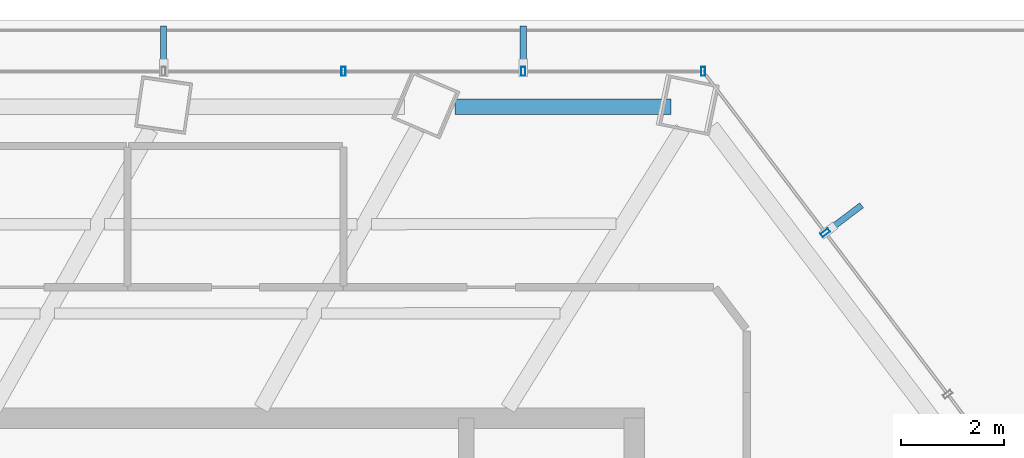
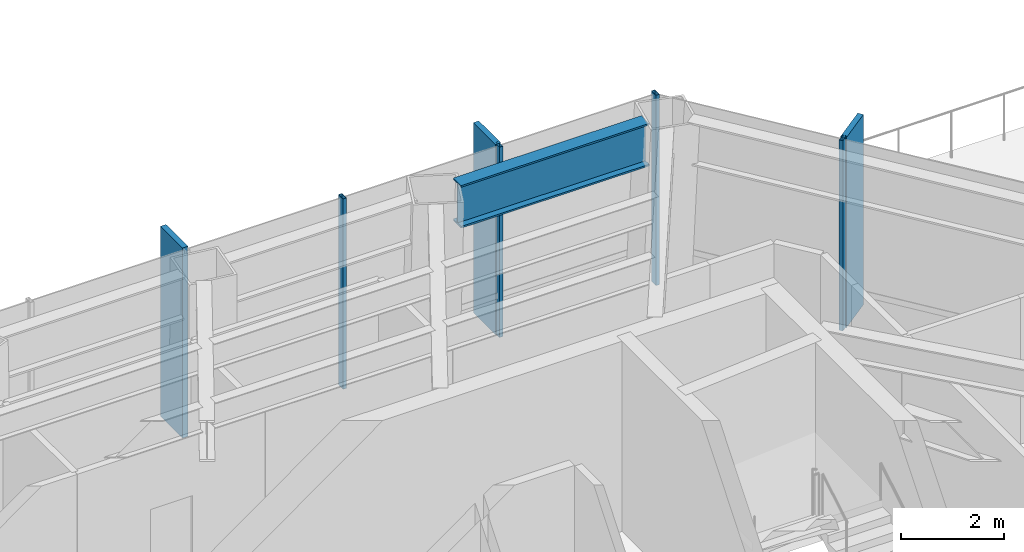
# One storey, part 17 of 30: 7 members, 1 beam, 2 elements without a shape of their own.
"""IFC4 building model written with IfcOpenShell, lengths in metres."""

from ifc_helpers import new_model, si_unit, direction, frame, origin, origin_2d, place, context, subcontext, project, spatial, rectangle, hollow_rectangle, i_section, extrude, material, layer, layer_set, material_profile, profile_set, type_object, element, aggregate, save


model = new_model("IFC4")

# Units and contexts
model_context = context("Model", 3, precision=1e-05, world=origin(), true_north=direction((0.0, 1.0)))
body_context = subcontext(model_context, "Body", "Model", "MODEL_VIEW")
ifc_project = project(units=[si_unit("LENGTHUNIT", "METRE"), si_unit("AREAUNIT", "SQUARE_METRE"), si_unit("VOLUMEUNIT", "CUBIC_METRE"), si_unit("PLANEANGLEUNIT", "RADIAN"), si_unit("MASSUNIT", "GRAM", prefix="KILO")], contexts=[model_context])

# Site, building, storey
site_placement = place(None, origin())
site = spatial("IfcSite", under=ifc_project, at=site_placement, CompositionType="ELEMENT")
building_placement = place(site_placement, origin())
building = spatial("IfcBuilding", under=site, at=building_placement, Name="Zarrinselat Tower", CompositionType="ELEMENT")
storey_placement = place(building_placement, frame((0.0, 0.0, 22.780029296875)))
storey = spatial("IfcBuildingStorey", under=building, at=storey_placement, Name="L05", CompositionType="ELEMENT", Elevation=22.780029296875)

# Beam
ifc_material_1 = material(Name="Steel S460M", Category="steel")
ifc_material_profile_1 = material_profile(ifc_material_1, i_section(OverallWidth=0.302001953125, OverallDepth=1.008056640625, WebThickness=0.02099609375, FlangeThickness=0.0400390625, at=origin_2d()), Name="HEM 1000")
ifc_profile_set_1 = profile_set([ifc_material_profile_1], Name="Steel S460M")
beam_type = type_object("IfcBeamType", Name="BM-HEM1000", PredefinedType="BEAM", material=ifc_profile_set_1)
beam_placement = place(storey_placement, frame((44.768310546875, 49.510986328125, 3.995849609375), z_axis=(1.0, 0.0, 0.0), x_axis=(0.0, 1.0, 0.0)))
element("IfcBeam", 1, at=beam_placement, inside=storey, type_object=beam_type, Name="L05 Perimeter Spandrel Girder SP01", PredefinedType="BEAM", context=body_context, shape_type="SweptSolid", body=[
    extrude(i_section(OverallWidth=0.302001953125, OverallDepth=1.008056640625, WebThickness=0.02099609375, FlangeThickness=0.0400390625, at=origin_2d()), origin(), (0.0, 0.0, 1.0), 4.210205078125),
])

# Curtain wall, members
ifc_material_2 = material(Name="Extruded Aluminium Alloy EN AW-6063 T6", Category="aluminium")
ifc_layer = layer(ifc_material_2, 0.195068359375)
ifc_layer_set = layer_set([ifc_layer], Name="Extruded Aluminium Alloy EN AW-6063 T6")
curtain_wall_type = type_object("IfcCurtainWallType", Name="CWS-GDN", PredefinedType="NOTDEFINED", material=ifc_layer_set)
curtain_wall_1_placement = place(storey_placement, origin())
curtain_wall_1 = element("IfcCurtainWall", 2, at=curtain_wall_1_placement, inside=storey, type_object=curtain_wall_type, Name="L05 Unitised Curtain Wall CW-L05-E01", PredefinedType="NOTDEFINED")
ifc_material_3 = material(Name="Extruded Aluminium Alloy EN AW-6063 T6", Category="aluminium")
ifc_material_profile_2 = material_profile(ifc_material_3, hollow_rectangle(XDim=0.080078125, YDim=0.179931640625, WallThickness=0.0048828125, at=origin_2d()), Name="RHS 180x80x5")
ifc_profile_set_2 = profile_set([ifc_material_profile_2], Name="Extruded Aluminium Alloy EN AW-6063 T6")
member_type_1 = type_object("IfcMemberType", Name="MEM-CW-MUL", PredefinedType="MULLION", material=ifc_profile_set_2)
member_1_placement = place(storey_placement, frame((49.60009765625, 50.199951171875, 0.0), z_axis=(0.0, 0.0, 1.0), x_axis=(-1.0, 0.0, 0.0)))
member_1 = element("IfcMember", 3, at=member_1_placement, type_object=member_type_1, Name="CW-L05-E01 Mullion 0", PredefinedType="MULLION", context=body_context, shape_type="SweptSolid", body=[
    extrude(hollow_rectangle(XDim=0.080078125, YDim=0.179931640625, WallThickness=0.0048828125, at=origin_2d()), origin(), (0.0, 0.0, 1.0), 4.5),
])
member_2_placement = place(storey_placement, frame((46.10009765625, 50.199951171875, 0.0), z_axis=(0.0, 0.0, 1.0), x_axis=(-1.0, 0.0, 0.0)))
member_2 = element("IfcMember", 4, at=member_2_placement, type_object=member_type_1, Name="CW-L05-E01 Mullion 1", PredefinedType="MULLION", context=body_context, shape_type="SweptSolid", body=[
    extrude(hollow_rectangle(XDim=0.080078125, YDim=0.179931640625, WallThickness=0.0048828125, at=origin_2d()), origin(), (0.0, 0.0, 1.0), 4.5),
])
member_3_placement = place(storey_placement, frame((42.60009765625, 50.199951171875, 0.0), z_axis=(0.0, 0.0, 1.0), x_axis=(-1.0, 0.0, 0.0)))
member_3 = element("IfcMember", 5, at=member_3_placement, type_object=member_type_1, Name="CW-L05-E01 Mullion 2", PredefinedType="MULLION", context=body_context, shape_type="SweptSolid", body=[
    extrude(hollow_rectangle(XDim=0.080078125, YDim=0.179931640625, WallThickness=0.0048828125, at=origin_2d()), origin(), (0.0, 0.0, 1.0), 4.5),
])

# Curtain wall, member
curtain_wall_2_placement = place(storey_placement, origin())
curtain_wall_2 = element("IfcCurtainWall", 6, at=curtain_wall_2_placement, inside=storey, type_object=curtain_wall_type, Name="L05 Unitised Curtain Wall CW-L05-E06", PredefinedType="NOTDEFINED")
member_4_placement = place(storey_placement, frame((51.97998046875, 47.058349609375, 0.0), z_axis=(0.0, 0.0, 1.0), x_axis=(-0.603857687995, 0.797092148154, 0.0)))
member_4 = element("IfcMember", 7, at=member_4_placement, type_object=member_type_1, Name="CW-L05-E06 Mullion 5", PredefinedType="MULLION", context=body_context, shape_type="SweptSolid", body=[
    extrude(hollow_rectangle(XDim=0.080078125, YDim=0.179931640625, WallThickness=0.0048828125, at=origin_2d()), origin(), (0.0, 0.0, 1.0), 4.5),
])

# Member
ifc_material_4 = material(Name="Honed Cream Travertine Stone", Category="masonry")
ifc_material_profile_3 = material_profile(ifc_material_4, rectangle(XDim=0.1201171875, YDim=0.85009765625, at=origin_2d()), Name="FIN 850x120")
ifc_profile_set_3 = profile_set([ifc_material_profile_3], Name="Honed Cream Travertine Stone")
member_type_2 = type_object("IfcMemberType", Name="MEM-STONE-FIN", PredefinedType="USERDEFINED", material=ifc_profile_set_3)
member_5_placement = place(storey_placement, frame((46.10009765625, 50.659912109375, 0.0), z_axis=(0.0, 0.0, 1.0), x_axis=(1.0, 0.0, 0.0)))
member_5 = element("IfcMember", 8, at=member_5_placement, type_object=member_type_2, Name="L05 Stone Shading Fin CW-L05-E01-01", ObjectType="FIN", PredefinedType="USERDEFINED", context=body_context, shape_type="SweptSolid", body=[
    extrude(rectangle(XDim=0.1201171875, YDim=0.85009765625, at=origin_2d()), origin(), (0.0, 0.0, 1.0), 4.5),
])

member_6_placement = place(storey_placement, frame((39.10009765625, 50.659912109375, 0.0), z_axis=(0.0, 0.0, 1.0), x_axis=(1.0, 0.0, 0.0)))
member_6 = element("IfcMember", 9, at=member_6_placement, type_object=member_type_2, Name="L05 Stone Shading Fin CW-L05-E01-03", ObjectType="FIN", PredefinedType="USERDEFINED", context=body_context, shape_type="SweptSolid", body=[
    extrude(rectangle(XDim=0.1201171875, YDim=0.85009765625, at=origin_2d()), origin(), (0.0, 0.0, 1.0), 4.5),
])

aggregate(curtain_wall_1, [member_1, member_2, member_5, member_3, member_6])

member_7_placement = place(storey_placement, frame((52.3466796875, 47.336181640625, 0.0), z_axis=(0.0, 0.0, 1.0), x_axis=(0.603857687995, -0.797092148154, 0.0)))
member_7 = element("IfcMember", 10, at=member_7_placement, type_object=member_type_2, Name="L05 Stone Shading Fin CW-L05-E06-05", ObjectType="FIN", PredefinedType="USERDEFINED", context=body_context, shape_type="SweptSolid", body=[
    extrude(rectangle(XDim=0.1201171875, YDim=0.85009765625, at=origin_2d()), origin(), (0.0, 0.0, 1.0), 4.5),
])

aggregate(curtain_wall_2, [member_4, member_7])

save(model, "model.ifc")
